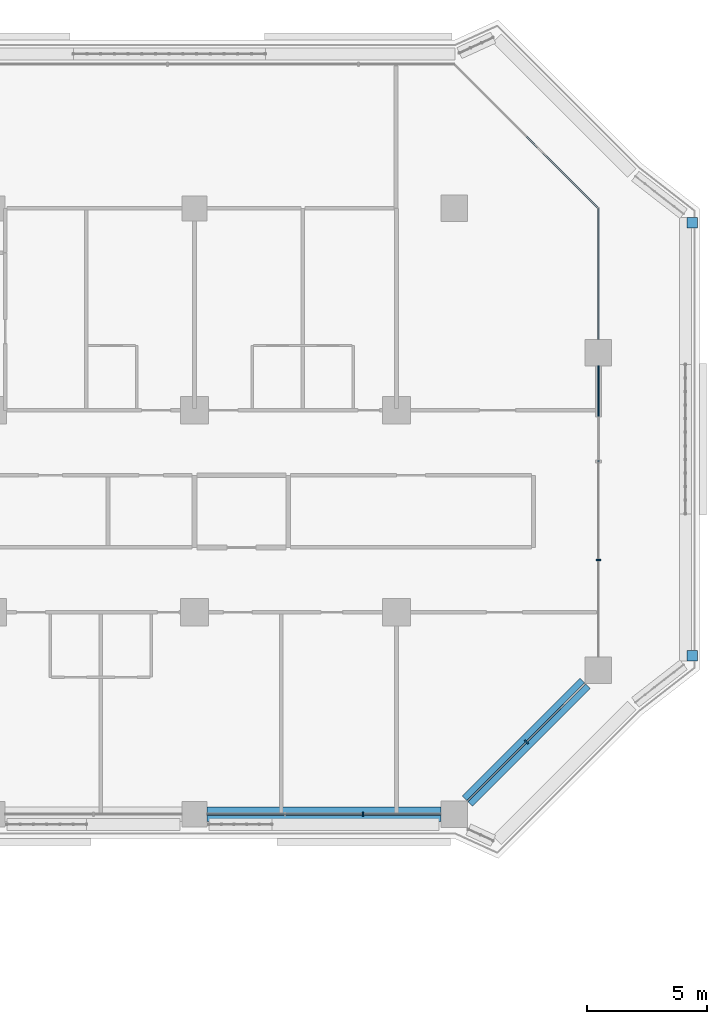
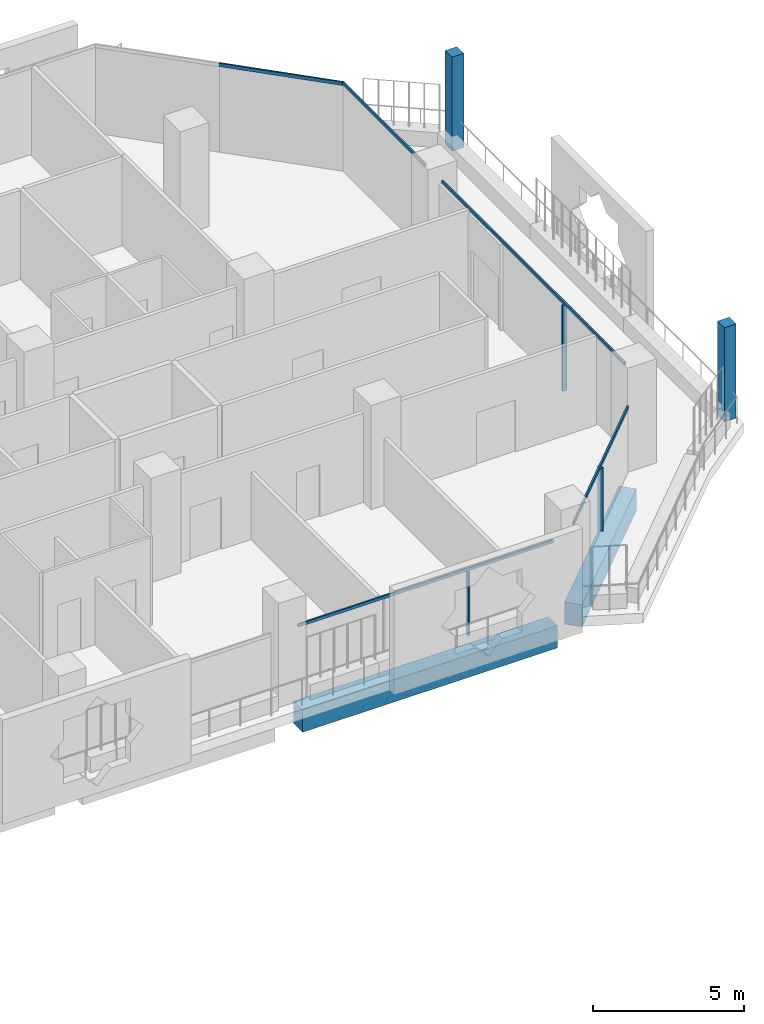
# One storey, part 7 of 25: 10 members, 2 beams, 5 elements without a shape of their own.
"""IFC4 building model written with IfcOpenShell, lengths in metres."""

from ifc_helpers import new_model, si_unit, direction, frame, origin, origin_2d, place, context, subcontext, project, spatial, rectangle, extrude, material, layer, layer_set, material_profile, profile_set, type_object, element, aggregate, save


model = new_model("IFC4")

# Units and contexts
model_context = context("Model", 3, precision=1e-05, world=origin(), true_north=direction((0.0, 1.0)))
body_context = subcontext(model_context, "Body", "Model", "MODEL_VIEW")
ifc_project = project(units=[si_unit("LENGTHUNIT", "METRE"), si_unit("AREAUNIT", "SQUARE_METRE"), si_unit("VOLUMEUNIT", "CUBIC_METRE"), si_unit("PLANEANGLEUNIT", "RADIAN"), si_unit("MASSUNIT", "GRAM", prefix="KILO")], contexts=[model_context])

# Site, building, storey
site_placement = place(None, origin())
site = spatial("IfcSite", under=ifc_project, at=site_placement, CompositionType="ELEMENT")
building_placement = place(site_placement, origin())
building = spatial("IfcBuilding", under=site, at=building_placement, Name="Kawkab Arch Medical Tower", CompositionType="ELEMENT")
storey_placement = place(building_placement, frame((0.0, 0.0, 124.0)))
storey = spatial("IfcBuildingStorey", under=building, at=storey_placement, Name="L28", CompositionType="ELEMENT", Elevation=124.0)

# Curtain wall, member
ifc_material_1 = material(Name="Bronze anodised aluminium curtain wall frame", Category="aluminium")
ifc_layer_1 = layer(ifc_material_1, 0.159912109375)
ifc_layer_set_1 = layer_set([ifc_layer_1], Name="Bronze anodised aluminium curtain wall frame")
curtain_wall_type_1 = type_object("IfcCurtainWallType", Name="CW1 ward curtain wall", PredefinedType="NOTDEFINED", material=ifc_layer_set_1)
placement = place(storey_placement, origin())
curtain_wall_1 = element("IfcCurtainWall", 1, at=placement, inside=storey, type_object=curtain_wall_type_1, Name="CW1 Ward curtain wall R07", PredefinedType="NOTDEFINED")
ifc_material_2 = material(Name="Bronze anodised aluminium curtain wall frame", Category="aluminium")
ifc_material_profile_1 = material_profile(ifc_material_2, rectangle(XDim=0.179931640625, YDim=0.06005859375, at=origin_2d()), Name="AL 60x180")
ifc_profile_set_1 = profile_set([ifc_material_profile_1], Name="Bronze anodised aluminium curtain wall frame")
member_type_1 = type_object("IfcMemberType", Name="CW1 mullion 60 x 180", PredefinedType="MULLION", material=ifc_profile_set_1)
member_1_placement = place(storey_placement, frame((65.808349609375, -25.199951171875, 0.0), z_axis=(0.0, 0.0, 1.0), x_axis=(0.0, 1.0, 0.0)))
member_1 = element("IfcMember", 2, at=member_1_placement, type_object=member_type_1, Name="CW1 mullion 4.2", PredefinedType="MULLION", context=body_context, shape_type="SweptSolid", body=[
    extrude(rectangle(XDim=0.179931640625, YDim=0.06005859375, at=origin_2d()), origin(), (0.0, 0.0, 1.0), 2.580078125),
])

curtain_wall_2 = element("IfcCurtainWall", 3, at=placement, inside=storey, type_object=curtain_wall_type_1, Name="CW1 Ward curtain wall R09", PredefinedType="NOTDEFINED")
member_2_placement = place(storey_placement, frame((75.60009765625, -14.61669921875, 0.0), z_axis=(0.0, 0.0, 1.0), x_axis=(-1.0, 0.0, 0.0)))
member_2 = element("IfcMember", 4, at=member_2_placement, type_object=member_type_1, Name="CW1 mullion 1.1", PredefinedType="MULLION", context=body_context, shape_type="SweptSolid", body=[
    extrude(rectangle(XDim=0.179931640625, YDim=0.06005859375, at=origin_2d()), origin(), (0.0, 0.0, 1.0), 3.47998046875),
])

# Member
ifc_material_3 = material(Name="Bronze anodised aluminium curtain wall frame", Category="aluminium")
ifc_material_profile_2 = material_profile(ifc_material_3, rectangle(XDim=0.06005859375, YDim=0.1201171875, at=origin_2d()), Name="AL 60x120")
ifc_profile_set_2 = profile_set([ifc_material_profile_2], Name="Bronze anodised aluminium curtain wall frame")
member_type_2 = type_object("IfcMemberType", Name="CW1 transom 120 x 60", PredefinedType="USERDEFINED", material=ifc_profile_set_2)
member_3_placement = place(storey_placement, frame((59.324951171875, -25.199951171875, 2.639892578125), z_axis=(1.0, 0.0, 0.0), x_axis=(0.0, 1.0, 0.0)))
member_3 = element("IfcMember", 5, at=member_3_placement, type_object=member_type_2, Name="CW1 transom 4", ObjectType="TRANSOM", PredefinedType="USERDEFINED", context=body_context, shape_type="SweptSolid", body=[
    extrude(rectangle(XDim=0.06005859375, YDim=0.1201171875, at=origin_2d()), origin(), (0.0, 0.0, 1.0), 9.72509765625),
])

aggregate(curtain_wall_1, [member_3, member_1])

member_4_placement = place(storey_placement, frame((75.60009765625, -18.64990234375, 3.5400390625), z_axis=(0.0, 1.0, 0.0), x_axis=(-1.0, 0.0, 0.0)))
member_4 = element("IfcMember", 6, at=member_4_placement, type_object=member_type_2, Name="CW1 transom 1", ObjectType="TRANSOM", PredefinedType="USERDEFINED", context=body_context, shape_type="SweptSolid", body=[
    extrude(rectangle(XDim=0.06005859375, YDim=0.1201171875, at=origin_2d()), origin(), (0.0, 0.0, 1.0), 12.099853515625),
])

member_5_placement = place(storey_placement, frame((75.60009765625, -5.449951171875, 3.5400390625), z_axis=(0.0, 1.0, 0.0), x_axis=(-1.0, 0.0, 0.0)))
member_5 = element("IfcMember", 7, at=member_5_placement, type_object=member_type_2, Name="CW1 transom 2", ObjectType="TRANSOM", PredefinedType="USERDEFINED", context=body_context, shape_type="SweptSolid", body=[
    extrude(rectangle(XDim=0.06005859375, YDim=0.1201171875, at=origin_2d()), origin(), (0.0, 0.0, 1.0), 5.449951171875),
])

aggregate(curtain_wall_2, [member_4, member_2, member_5])

# Curtain wall, members
ifc_material_4 = material(Name="Bronze anodised aluminium curtain wall frame", Category="aluminium")
ifc_layer_2 = layer(ifc_material_4, 0.159912109375)
ifc_layer_set_2 = layer_set([ifc_layer_2], Name="Bronze anodised aluminium curtain wall frame")
curtain_wall_type_2 = type_object("IfcCurtainWallType", Name="CW2 chamfer curtain wall", PredefinedType="NOTDEFINED", material=ifc_layer_set_2)
curtain_wall_3 = element("IfcCurtainWall", 8, at=placement, inside=storey, type_object=curtain_wall_type_2, Name="CW2 Chamfer curtain wall R08", PredefinedType="NOTDEFINED")
ifc_material_5 = material(Name="Bronze anodised aluminium curtain wall frame", Category="aluminium")
ifc_material_profile_3 = material_profile(ifc_material_5, rectangle(XDim=0.199951171875, YDim=0.06005859375, at=origin_2d()), Name="AL 60x200")
ifc_profile_set_3 = profile_set([ifc_material_profile_3], Name="Bronze anodised aluminium curtain wall frame")
member_type_3 = type_object("IfcMemberType", Name="CW2 mullion 60 x 200", PredefinedType="MULLION", material=ifc_profile_set_3)
member_6_placement = place(storey_placement, frame((72.60009765625, -22.199951171875, 0.0), z_axis=(0.0, 0.0, 1.0), x_axis=(-0.707106781187, 0.707106781187, 0.0)))
member_6 = element("IfcMember", 9, at=member_6_placement, type_object=member_type_3, Name="CW2 mullion 1.1", PredefinedType="MULLION", context=body_context, shape_type="SweptSolid", body=[
    extrude(rectangle(XDim=0.199951171875, YDim=0.06005859375, at=origin_2d()), origin(), (0.0, 0.0, 1.0), 2.56005859375),
])
ifc_material_6 = material(Name="Bronze anodised aluminium curtain wall frame", Category="aluminium")
ifc_material_profile_4 = material_profile(ifc_material_6, rectangle(XDim=0.06005859375, YDim=0.139892578125, at=origin_2d()), Name="AL 60x140")
ifc_profile_set_4 = profile_set([ifc_material_profile_4], Name="Bronze anodised aluminium curtain wall frame")
member_type_4 = type_object("IfcMemberType", Name="CW2 transom 140 x 60", PredefinedType="USERDEFINED", material=ifc_profile_set_4)
member_7_placement = place(storey_placement, frame((70.14990234375, -24.64990234375, 2.6298828125), z_axis=(0.707124396542, 0.707089165393, 0.0), x_axis=(-0.707089165393, 0.707124396542, 0.0)))
member_7 = element("IfcMember", 10, at=member_7_placement, type_object=member_type_4, Name="CW2 transom 1", ObjectType="TRANSOM", PredefinedType="USERDEFINED", context=body_context, shape_type="SweptSolid", body=[
    extrude(rectangle(XDim=0.06005859375, YDim=0.139892578125, at=origin_2d()), origin(), (0.0, 0.0, 1.0), 6.9296875),
])
aggregate(curtain_wall_3, [member_7, member_6])

# Curtain wall, member
curtain_wall_4 = element("IfcCurtainWall", 11, at=placement, inside=storey, type_object=curtain_wall_type_2, Name="CW2 Chamfer curtain wall R10", PredefinedType="NOTDEFINED")
member_8_placement = place(storey_placement, frame((75.60009765625, 0.0, 3.530029296875), z_axis=(-0.707106781187, 0.707106781187, 0.0), x_axis=(-0.707106781187, -0.707106781187, 0.0)))
member_8 = element("IfcMember", 12, at=member_8_placement, type_object=member_type_4, Name="CW2 transom 1", ObjectType="TRANSOM", PredefinedType="USERDEFINED", context=body_context, shape_type="SweptSolid", body=[
    extrude(rectangle(XDim=0.06005859375, YDim=0.139892578125, at=origin_2d()), origin(), (0.0, 0.0, 1.0), 4.24267578125),
])
aggregate(curtain_wall_4, [member_8])

# Curtain wall, members
ifc_material_7 = material(Name="Bronze anodised aluminium climber frame, planted", Category="aluminium")
ifc_layer_3 = layer(ifc_material_7, 0.449951171875)
ifc_layer_set_3 = layer_set([ifc_layer_3], Name="Bronze anodised aluminium climber frame, planted")
curtain_wall_type_3 = type_object("IfcCurtainWallType", Name="Planted climber frame", PredefinedType="NOTDEFINED", material=ifc_layer_set_3)
curtain_wall_5 = element("IfcCurtainWall", 13, at=placement, inside=storey, type_object=curtain_wall_type_3, Name="Planted climber frame L28", PredefinedType="NOTDEFINED")
ifc_material_8 = material(Name="Bronze anodised aluminium climber frame, planted", Category="aluminium")
ifc_material_profile_5 = material_profile(ifc_material_8, rectangle(XDim=0.449951171875, YDim=0.449951171875, at=origin_2d()), Name="Post 450x450")
ifc_profile_set_5 = profile_set([ifc_material_profile_5], Name="Bronze anodised aluminium climber frame, planted")
member_type_5 = type_object("IfcMemberType", Name="Planted climber post 450 x 450", PredefinedType="MULLION", material=ifc_profile_set_5)
member_9_placement = place(storey_placement, frame((79.5, -0.596923828125, 0.0), z_axis=(0.0, 0.0, 1.0), x_axis=(1.0, 0.0, 0.0)))
member_9 = element("IfcMember", 14, at=member_9_placement, type_object=member_type_5, Name="Planted climber post L28.LOG-01-01.3", PredefinedType="MULLION", context=body_context, shape_type="SweptSolid", body=[
    extrude(rectangle(XDim=0.449951171875, YDim=0.449951171875, at=origin_2d()), origin(), (0.0, 0.0, 1.0), 3.800048828125),
])
member_10_placement = place(storey_placement, frame((79.5, -18.60302734375, 0.0), z_axis=(0.0, 0.0, 1.0), x_axis=(1.0, 0.0, 0.0)))
member_10 = element("IfcMember", 15, at=member_10_placement, type_object=member_type_5, Name="Planted climber post L28.LOG-01-01.4", PredefinedType="MULLION", context=body_context, shape_type="SweptSolid", body=[
    extrude(rectangle(XDim=0.449951171875, YDim=0.449951171875, at=origin_2d()), origin(), (0.0, 0.0, 1.0), 3.800048828125),
])
aggregate(curtain_wall_5, [member_9, member_10])

# Beams
ifc_material_9 = material(Name="Concrete C55/67", Category="concrete")
ifc_material_profile_6 = material_profile(ifc_material_9, rectangle(XDim=0.60009765625, YDim=0.89990234375, at=origin_2d()), Name="RC 600x900")
ifc_profile_set_6 = profile_set([ifc_material_profile_6], Name="Concrete C55/67")
beam_type = type_object("IfcBeamType", Name="RC 600x900 beam C55/67", PredefinedType="BEAM", material=ifc_profile_set_6)
beam_1_placement = place(storey_placement, frame((75.050048828125, -19.75, -1.050048828125), z_axis=(-0.707124396542, -0.707089165393, 0.0), x_axis=(0.707089165393, -0.707124396542, 0.0)))
element("IfcBeam", 16, at=beam_1_placement, inside=storey, type_object=beam_type, Name="Overhang edge beam L28-01", PredefinedType="BEAM", context=body_context, shape_type="SweptSolid", body=[
    extrude(rectangle(XDim=0.60009765625, YDim=0.89990234375, at=origin_2d()), origin(), (0.0, 0.0, 1.0), 6.9296875),
])
beam_2_placement = place(storey_placement, frame((69.050048828125, -25.199951171875, -1.050048828125), z_axis=(-1.0, 0.0, 0.0), x_axis=(0.0, -1.0, 0.0)))
element("IfcBeam", 17, at=beam_2_placement, inside=storey, type_object=beam_type, Name="Overhang edge beam L28-02", PredefinedType="BEAM", context=body_context, shape_type="SweptSolid", body=[
    extrude(rectangle(XDim=0.60009765625, YDim=0.89990234375, at=origin_2d()), origin(), (0.0, 0.0, 1.0), 9.72509765625),
])

save(model, "model.ifc")
